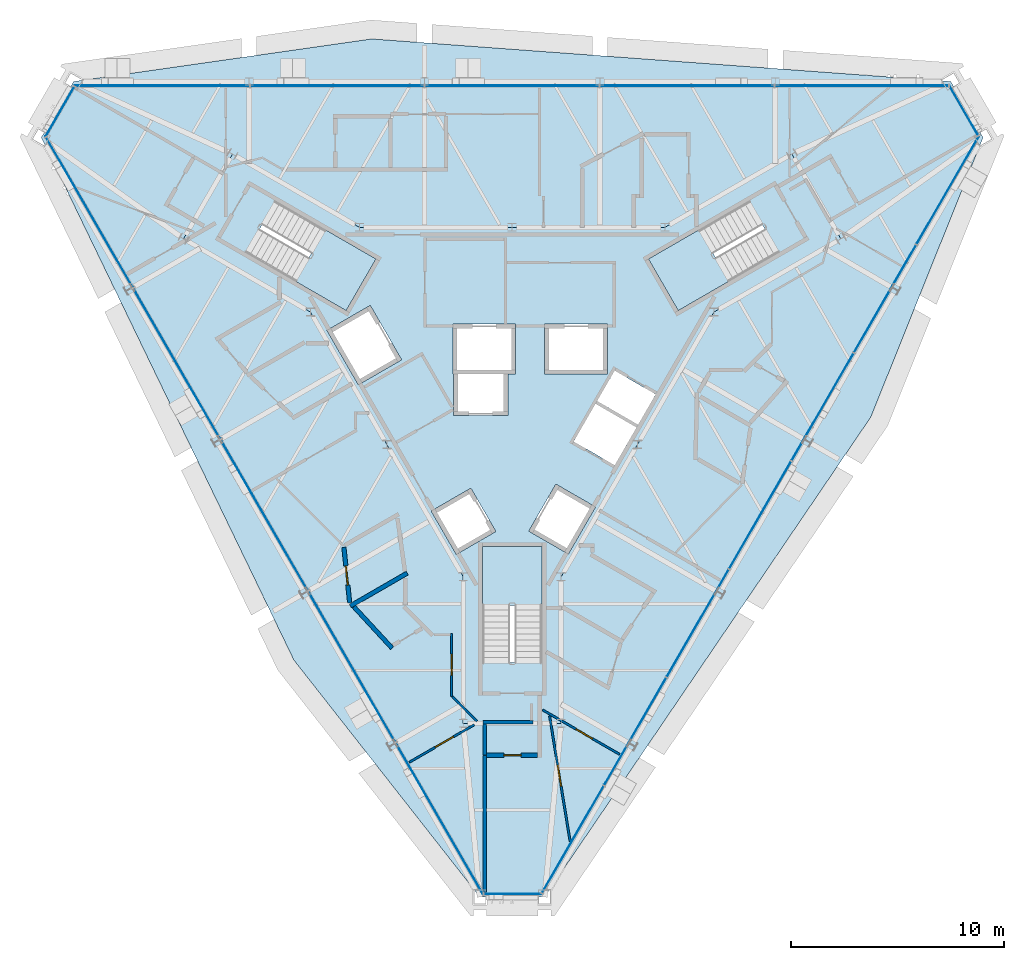
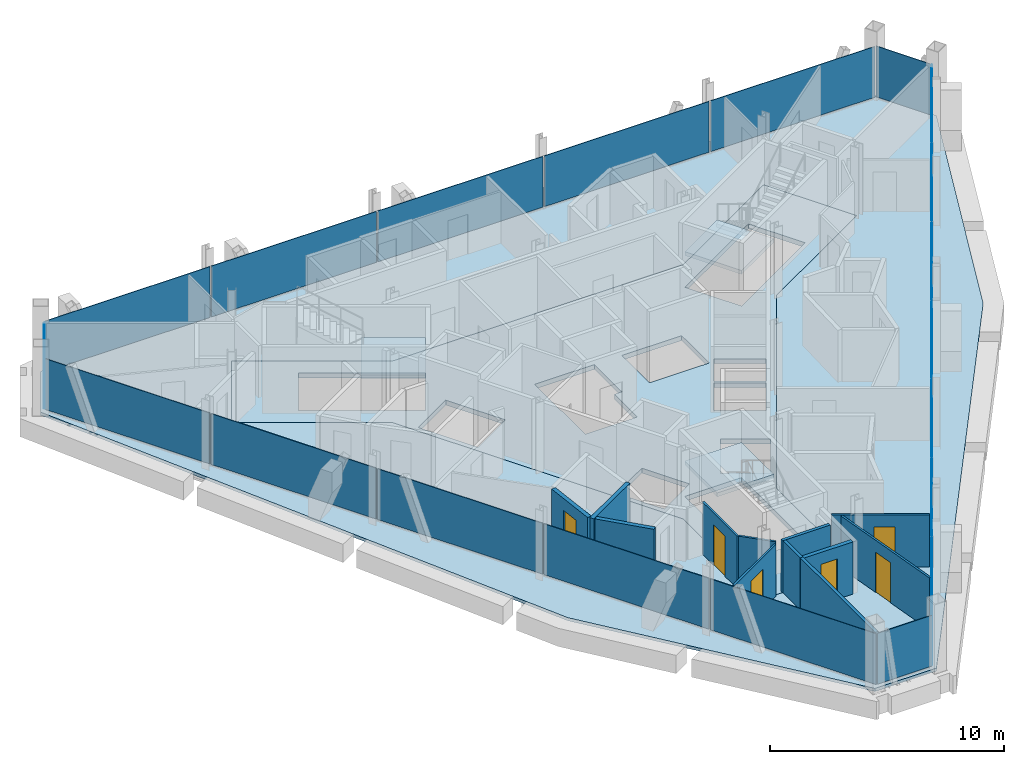
# One storey, part 8 of 15: 20 plates, 12 walls, 6 doors, 5 slabs, 6 openings, 9 elements without a shape of their own.
"""IFC4 building model written with IfcOpenShell, lengths in metres."""

from ifc_helpers import new_model, si_unit, direction, frame, frame_2d, origin, origin_2d, place, context, subcontext, project, spatial, polyline, rectangle, outline, extrude, material, layer, layer_set, type_object, element, fill, aggregate, save


model = new_model("IFC4")

# Units and contexts
model_context = context("Model", 3, precision=1e-05, world=origin(), true_north=direction((0.0, 1.0)))
body_context = subcontext(model_context, "Body", "Model", "MODEL_VIEW")
ifc_project = project(units=[si_unit("LENGTHUNIT", "METRE"), si_unit("AREAUNIT", "SQUARE_METRE"), si_unit("VOLUMEUNIT", "CUBIC_METRE"), si_unit("PLANEANGLEUNIT", "RADIAN"), si_unit("MASSUNIT", "GRAM", prefix="KILO")], contexts=[model_context])

# Site, building, storey
site_placement = place(None, origin())
site = spatial("IfcSite", under=ifc_project, at=site_placement, CompositionType="ELEMENT")
building_placement = place(site_placement, origin())
building = spatial("IfcBuilding", under=site, at=building_placement, Name="Verrane Prism Tower", CompositionType="ELEMENT")
storey_placement = place(building_placement, frame((0.0, 0.0, 301.0)))
storey = spatial("IfcBuildingStorey", under=building, at=storey_placement, Name="L76", CompositionType="ELEMENT", Elevation=301.0)

# Slabs
ifc_material_1 = material(Name="Concrete C35/45", Category="concrete")
ifc_layer_1 = layer(ifc_material_1, 0.159912109375)
ifc_layer_set_1 = layer_set([ifc_layer_1], Name="Composite floor slab")
slab_type_1 = type_object("IfcSlabType", Name="Composite floor slab", PredefinedType="FLOOR", material=ifc_layer_set_1)
slab_1_placement = place(storey_placement, frame((0.0, 0.0, -0.159912109375)))
element("IfcSlab", 1, at=slab_1_placement, inside=storey, type_object=slab_type_1, Name="Floor slab L76", PredefinedType="FLOOR", context=body_context, shape_type="SweptSolid", body=[
    extrude(outline(polyline([(16.85009765625, -2.114990234375), (1.51904296875, -24.6689453125), (-1.51904296875, -24.6689453125), (-10.256591796875, -13.53515625), (-22.12353515625, 11.01904296875), (-20.6044921875, 13.64990234375), (-6.593505859375, 15.64990234375), (20.6044921875, 13.64990234375), (22.12353515625, 11.01904296875), (16.85009765625, -2.114990234375)]), holes=[polyline([(15.43994140625, 6.260009765625), (13.139892578125, 10.239990234375), (7.179931640625, 6.800048828125), (0.0, 6.800048828125), (-7.179931640625, 6.800048828125), (-13.139892578125, 10.239990234375), (-15.43994140625, 6.260009765625), (-9.47998046875, 2.820068359375), (-5.889892578125, -3.39990234375), (-2.300048828125, -9.6201171875), (-2.300048828125, -16.5), (2.300048828125, -16.5), (2.300048828125, -9.6201171875), (5.889892578125, -3.39990234375), (9.47998046875, 2.820068359375), (15.43994140625, 6.260009765625)])]), origin(), (0.0, 0.0, 1.0), 0.159912109375),
])
ifc_material_2 = material(Name="Concrete C40/50", Category="concrete")
ifc_layer_2 = layer(ifc_material_2, 0.25)
ifc_layer_set_2 = layer_set([ifc_layer_2], Name="Core floor slab 250 concrete C40/50")
slab_type_2 = type_object("IfcSlabType", Name="Core floor slab 250 concrete C40/50", PredefinedType="FLOOR", material=ifc_layer_set_2)
slab_2_placement = place(storey_placement, frame((0.0, 0.0, -0.25)))
element("IfcSlab", 2, at=slab_2_placement, inside=storey, type_object=slab_type_2, Name="Core floor L76", PredefinedType="FLOOR", context=body_context, shape_type="SweptSolid", body=[
    extrude(outline(polyline([(9.47998046875, 2.820068359375), (15.43994140625, 6.260009765625), (13.139892578125, 10.239990234375), (7.179931640625, 6.800048828125), (0.0, 6.800048828125), (-7.179931640625, 6.800048828125), (-13.139892578125, 10.239990234375), (-15.43994140625, 6.260009765625), (-9.47998046875, 2.820068359375), (-5.889892578125, -3.39990234375), (-2.300048828125, -9.6201171875), (-2.300048828125, -16.5), (2.300048828125, -16.5), (2.300048828125, -9.6201171875), (5.889892578125, -3.39990234375), (9.47998046875, 2.820068359375)]), holes=[polyline([(-1.39990234375, -8.199951171875), (1.39990234375, -8.199951171875), (1.39990234375, -13.639892578125), (-1.39990234375, -13.639892578125), (-1.39990234375, -8.199951171875)]), polyline([(-0.76708984375, -7.491943359375), (-2.62890625, -8.56689453125), (-3.803955078125, -6.531982421875), (-1.94189453125, -5.45703125), (-0.76708984375, -7.491943359375)]), polyline([(3.9140625, -6.341064453125), (2.638916015625, -8.550048828125), (0.777099609375, -7.47509765625), (2.052001953125, -5.26611328125), (3.9140625, -6.341064453125)]), polyline([(4.81494140625, -4.37890625), (2.888916015625, -3.26708984375), (3.9130859375, -1.490966796875), (5.841064453125, -2.60302734375), (4.81494140625, -4.37890625)]), polyline([(6.739990234375, -1.044921875), (5.916015625, -2.47412109375), (3.988037109375, -1.361083984375), (4.81396484375, 0.06689453125), (6.739990234375, -1.044921875)]), polyline([(-2.784912109375, -0.10009765625), (-2.784912109375, 2.25), (0.1650390625, 2.25), (0.1650390625, -0.10009765625), (-0.205078125, -0.10009765625), (-0.205078125, -2.050048828125), (-2.7548828125, -2.050048828125), (-2.7548828125, -0.10009765625), (-2.784912109375, -0.10009765625)]), polyline([(4.47509765625, 2.25), (4.47509765625, -0.10009765625), (1.52490234375, -0.10009765625), (1.52490234375, 2.25), (4.47509765625, 2.25)]), polyline([(-8.7041015625, 1.955078125), (-6.66796875, 3.1298828125), (-5.193115234375, 0.574951171875), (-7.22900390625, -0.60009765625), (-8.7041015625, 1.955078125)]), polyline([(-7.801025390625, 2.887939453125), (-12.512939453125, 5.60791015625), (-11.113037109375, 8.031982421875), (-6.40087890625, 5.31201171875), (-7.801025390625, 2.887939453125)]), polyline([(6.40087890625, 5.31201171875), (11.113037109375, 8.031982421875), (12.512939453125, 5.60791015625), (7.801025390625, 2.887939453125), (6.40087890625, 5.31201171875)])]), origin(), (0.0, 0.0, 1.0), 0.25),
])

# Curtain wall, plates
ifc_material_3 = material(Name="Aluminium framed insulated glazing", Category="aluminium")
curtain_wall_type_1 = type_object("IfcCurtainWallType", Name="Curtain wall CW-B 5600 module", PredefinedType="NOTDEFINED", material=ifc_material_3)
curtain_wall_1_placement = place(storey_placement, origin())
curtain_wall_1 = element("IfcCurtainWall", 3, at=curtain_wall_1_placement, inside=storey, type_object=curtain_wall_type_1, Name="Glazed curtain wall south-east face L76", PredefinedType="NOTDEFINED")
ifc_material_4 = material(Name="Low-iron insulating glass unit", Category="glass")
ifc_layer_3 = layer(ifc_material_4, 0.028076171875)
ifc_layer_set_3 = layer_set([ifc_layer_3], Name="Glazing panel IGU 28")
plate_type_1 = type_object("IfcPlateType", Name="Glazing panel IGU 28", PredefinedType="CURTAIN_PANEL", material=ifc_layer_set_3)
plate_1_placement = place(storey_placement, frame((2.84765625, -21.962158203125, 0.06005859375), z_axis=(0.0, 0.0, 1.0), x_axis=(0.500000938868, 0.866024861728, 0.0)))
plate_1 = element("IfcPlate", 4, at=plate_1_placement, type_object=plate_type_1, Name="CW75.6 panel 1", PredefinedType="CURTAIN_PANEL", context=body_context, shape_type="SweptSolid", body=[
    extrude(rectangle(XDim=5.7802734375, YDim=0.028076171875, at=origin_2d()), origin(), (0.0, 0.0, 1.0), 2.6630859375),
])
plate_2_placement = place(storey_placement, frame((5.775390625, -16.891357421875, 0.06005859375), z_axis=(0.0, 0.0, 1.0), x_axis=(0.500000938868, 0.866024861728, 0.0)))
plate_2 = element("IfcPlate", 5, at=plate_2_placement, type_object=plate_type_1, Name="CW75.6 panel 2", PredefinedType="CURTAIN_PANEL", context=body_context, shape_type="SweptSolid", body=[
    extrude(rectangle(XDim=5.810302734375, YDim=0.028076171875, at=origin_2d()), origin(), (0.0, 0.0, 1.0), 2.6630859375),
])
plate_3_placement = place(storey_placement, frame((8.71044921875, -11.807373046875, 0.06005859375), z_axis=(0.0, 0.0, 1.0), x_axis=(0.500000938868, 0.866024861728, 0.0)))
plate_3 = element("IfcPlate", 6, at=plate_3_placement, type_object=plate_type_1, Name="CW75.6 panel 3", PredefinedType="CURTAIN_PANEL", context=body_context, shape_type="SweptSolid", body=[
    extrude(rectangle(XDim=5.810302734375, YDim=0.028076171875, at=origin_2d()), origin(), (0.0, 0.0, 1.0), 2.6630859375),
])
plate_4_placement = place(storey_placement, frame((11.645751953125, -6.7236328125, 0.06005859375), z_axis=(0.0, 0.0, 1.0), x_axis=(0.500000938868, 0.866024861728, 0.0)))
plate_4 = element("IfcPlate", 7, at=plate_4_placement, type_object=plate_type_1, Name="CW75.6 panel 4", PredefinedType="CURTAIN_PANEL", context=body_context, shape_type="SweptSolid", body=[
    extrude(rectangle(XDim=5.810302734375, YDim=0.028076171875, at=origin_2d()), origin(), (0.0, 0.0, 1.0), 2.6630859375),
])
plate_5_placement = place(storey_placement, frame((14.580810546875, -1.639892578125, 0.06005859375), z_axis=(0.0, 0.0, 1.0), x_axis=(0.500000938868, 0.866024861728, 0.0)))
plate_5 = element("IfcPlate", 8, at=plate_5_placement, type_object=plate_type_1, Name="CW75.6 panel 5", PredefinedType="CURTAIN_PANEL", context=body_context, shape_type="SweptSolid", body=[
    extrude(rectangle(XDim=5.810302734375, YDim=0.028076171875, at=origin_2d()), origin(), (0.0, 0.0, 1.0), 2.6630859375),
])
plate_6_placement = place(storey_placement, frame((17.515869140625, 3.444091796875, 0.06005859375), z_axis=(0.0, 0.0, 1.0), x_axis=(0.500000938868, 0.866024861728, 0.0)))
plate_6 = element("IfcPlate", 9, at=plate_6_placement, type_object=plate_type_1, Name="CW75.6 panel 6", PredefinedType="CURTAIN_PANEL", context=body_context, shape_type="SweptSolid", body=[
    extrude(rectangle(XDim=5.810302734375, YDim=0.028076171875, at=origin_2d()), origin(), (0.0, 0.0, 1.0), 2.6630859375),
])

# Curtain wall, plate
ifc_material_5 = material(Name="Aluminium framed insulated glazing", Category="aluminium")
curtain_wall_type_2 = type_object("IfcCurtainWallType", Name="Curtain wall CW-A 8400 module", PredefinedType="NOTDEFINED", material=ifc_material_5)
curtain_wall_2_placement = place(storey_placement, origin())
curtain_wall_2 = element("IfcCurtainWall", 10, at=curtain_wall_2_placement, inside=storey, type_object=curtain_wall_type_2, Name="Glazed curtain wall north-east corner L76", PredefinedType="NOTDEFINED")
ifc_material_6 = material(Name="Low-iron insulating glass unit", Category="glass")
ifc_layer_4 = layer(ifc_material_6, 0.031982421875)
ifc_layer_set_4 = layer_set([ifc_layer_4], Name="Glazing panel IGU 32")
plate_type_2 = type_object("IfcPlateType", Name="Glazing panel IGU 32", PredefinedType="CURTAIN_PANEL", material=ifc_layer_set_4)
plate_7_placement = place(storey_placement, frame((21.21484375, 12.288818359375, 0.06982421875), z_axis=(0.0, 0.0, 1.0), x_axis=(-0.500002040855, 0.866024225493, 0.0)))
plate_7 = element("IfcPlate", 11, at=plate_7_placement, type_object=plate_type_2, Name="CW75.1 panel 1", PredefinedType="CURTAIN_PANEL", context=body_context, shape_type="SweptSolid", body=[
    extrude(rectangle(XDim=2.67529296875, YDim=0.031982421875, at=origin_2d()), origin(), (0.0, 0.0, 1.0), 2.653076171875),
])
aggregate(curtain_wall_2, [plate_7])

# Curtain wall, plates
curtain_wall_3_placement = place(storey_placement, origin())
curtain_wall_3 = element("IfcCurtainWall", 12, at=curtain_wall_3_placement, inside=storey, type_object=curtain_wall_type_2, Name="Glazed curtain wall north face L76", PredefinedType="NOTDEFINED")
plate_8_placement = place(storey_placement, frame((16.41943359375, 13.447265625, 0.06982421875), z_axis=(0.0, 0.0, 1.0), x_axis=(-1.0, 0.0, 0.0)))
plate_8 = element("IfcPlate", 13, at=plate_8_placement, type_object=plate_type_2, Name="CW75.2 panel 1", PredefinedType="CURTAIN_PANEL", context=body_context, shape_type="SweptSolid", body=[
    extrude(rectangle(XDim=8.113525390625, YDim=0.031982421875, at=origin_2d()), origin(), (0.0, 0.0, 1.0), 2.653076171875),
])
plate_9_placement = place(storey_placement, frame((8.218505859375, 13.447265625, 0.06982421875), z_axis=(0.0, 0.0, 1.0), x_axis=(-1.0, 0.0, 0.0)))
plate_9 = element("IfcPlate", 14, at=plate_9_placement, type_object=plate_type_2, Name="CW75.2 panel 2", PredefinedType="CURTAIN_PANEL", context=body_context, shape_type="SweptSolid", body=[
    extrude(rectangle(XDim=8.1484375, YDim=0.031982421875, at=origin_2d()), origin(), (0.0, 0.0, 1.0), 2.653076171875),
])
plate_10_placement = place(storey_placement, frame((0.0, 13.447265625, 0.06982421875), z_axis=(0.0, 0.0, 1.0), x_axis=(-1.0, 0.0, 0.0)))
plate_10 = element("IfcPlate", 15, at=plate_10_placement, type_object=plate_type_2, Name="CW75.2 panel 3", PredefinedType="CURTAIN_PANEL", context=body_context, shape_type="SweptSolid", body=[
    extrude(rectangle(XDim=8.1484375, YDim=0.031982421875, at=origin_2d()), origin(), (0.0, 0.0, 1.0), 2.653076171875),
])
plate_11_placement = place(storey_placement, frame((-8.218505859375, 13.447265625, 0.06982421875), z_axis=(0.0, 0.0, 1.0), x_axis=(-1.0, 0.0, 0.0)))
plate_11 = element("IfcPlate", 16, at=plate_11_placement, type_object=plate_type_2, Name="CW75.2 panel 4", PredefinedType="CURTAIN_PANEL", context=body_context, shape_type="SweptSolid", body=[
    extrude(rectangle(XDim=8.1484375, YDim=0.031982421875, at=origin_2d()), origin(), (0.0, 0.0, 1.0), 2.653076171875),
])
plate_12_placement = place(storey_placement, frame((-16.454345703125, 13.447265625, 0.06982421875), z_axis=(0.0, 0.0, 1.0), x_axis=(-1.0, 0.0, 0.0)))
plate_12 = element("IfcPlate", 17, at=plate_12_placement, type_object=plate_type_2, Name="CW75.2 panel 5", PredefinedType="CURTAIN_PANEL", context=body_context, shape_type="SweptSolid", body=[
    extrude(rectangle(XDim=8.183349609375, YDim=0.031982421875, at=origin_2d()), origin(), (0.0, 0.0, 1.0), 2.653076171875),
])
aggregate(curtain_wall_3, [plate_8, plate_9, plate_10, plate_11, plate_12])

# Curtain wall, plate
curtain_wall_4_placement = place(storey_placement, origin())
curtain_wall_4 = element("IfcCurtainWall", 18, at=curtain_wall_4_placement, inside=storey, type_object=curtain_wall_type_2, Name="Glazed curtain wall north-west corner L76", PredefinedType="NOTDEFINED")
plate_13_placement = place(storey_placement, frame((-21.25, 12.228271484375, 0.06982421875), z_axis=(0.0, 0.0, 1.0), x_axis=(-0.500002040855, -0.866024225493, 0.0)))
plate_13 = element("IfcPlate", 19, at=plate_13_placement, type_object=plate_type_2, Name="CW75.3 panel 1", PredefinedType="CURTAIN_PANEL", context=body_context, shape_type="SweptSolid", body=[
    extrude(rectangle(XDim=2.67529296875, YDim=0.031982421875, at=origin_2d()), origin(), (0.0, 0.0, 1.0), 2.653076171875),
])
aggregate(curtain_wall_4, [plate_13])

# Curtain wall, plates
curtain_wall_5_placement = place(storey_placement, origin())
curtain_wall_5 = element("IfcCurtainWall", 20, at=curtain_wall_5_placement, inside=storey, type_object=curtain_wall_type_2, Name="Glazed curtain wall south-west face L76", PredefinedType="NOTDEFINED")
plate_14_placement = place(storey_placement, frame((-15.7548828125, 0.393798828125, 0.06982421875), z_axis=(0.0, 0.0, 1.0), x_axis=(0.500000938868, -0.866024861728, 0.0)))
plate_14 = element("IfcPlate", 21, at=plate_14_placement, type_object=plate_type_2, Name="CW75.4 panel 2", PredefinedType="CURTAIN_PANEL", context=body_context, shape_type="SweptSolid", body=[
    extrude(rectangle(XDim=8.1484375, YDim=0.031982421875, at=origin_2d()), origin(), (0.0, 0.0, 1.0), 2.653076171875),
])
plate_15_placement = place(storey_placement, frame((-11.645751953125, -6.7236328125, 0.06982421875), z_axis=(0.0, 0.0, 1.0), x_axis=(0.500000938868, -0.866024861728, 0.0)))
plate_15 = element("IfcPlate", 22, at=plate_15_placement, type_object=plate_type_2, Name="CW75.4 panel 3", PredefinedType="CURTAIN_PANEL", context=body_context, shape_type="SweptSolid", body=[
    extrude(rectangle(XDim=8.1484375, YDim=0.031982421875, at=origin_2d()), origin(), (0.0, 0.0, 1.0), 2.653076171875),
])
plate_16_placement = place(storey_placement, frame((-7.536376953125, -13.841064453125, 0.06982421875), z_axis=(0.0, 0.0, 1.0), x_axis=(0.500000938868, -0.866024861728, 0.0)))
plate_16 = element("IfcPlate", 23, at=plate_16_placement, type_object=plate_type_2, Name="CW75.4 panel 4", PredefinedType="CURTAIN_PANEL", context=body_context, shape_type="SweptSolid", body=[
    extrude(rectangle(XDim=8.1484375, YDim=0.031982421875, at=origin_2d()), origin(), (0.0, 0.0, 1.0), 2.653076171875),
])

# Curtain wall, plate
curtain_wall_6_placement = place(storey_placement, origin())
curtain_wall_6 = element("IfcCurtainWall", 24, at=curtain_wall_6_placement, inside=storey, type_object=curtain_wall_type_2, Name="Glazed curtain wall south corner L76", PredefinedType="NOTDEFINED")
plate_17_placement = place(storey_placement, frame((0.034912109375, -24.51708984375, 0.06982421875), z_axis=(0.0, 0.0, 1.0), x_axis=(1.0, 0.0, 0.0)))
plate_17 = element("IfcPlate", 25, at=plate_17_placement, type_object=plate_type_2, Name="CW75.5 panel 1", PredefinedType="CURTAIN_PANEL", context=body_context, shape_type="SweptSolid", body=[
    extrude(rectangle(XDim=2.67529296875, YDim=0.031982421875, at=origin_2d()), origin(), (0.0, 0.0, 1.0), 2.653076171875),
])
aggregate(curtain_wall_6, [plate_17])

# Stair, slab
ifc_material_7 = material(Name="Concrete C40/50", Category="concrete")
stair_type = type_object("IfcStairType", Name="Exit stair 1300 dog-leg precast concrete C40/50", PredefinedType="HALF_TURN_STAIR", material=ifc_material_7)
stair_1_placement = place(storey_placement, origin())
stair_1 = element("IfcStair", 26, at=stair_1_placement, inside=storey, type_object=stair_type, Name="Stair 1 L76", PredefinedType="HALF_TURN_STAIR")
ifc_material_8 = material(Name="Concrete C40/50", Category="concrete")
ifc_layer_5 = layer(ifc_material_8, 0.199951171875)
ifc_layer_set_5 = layer_set([ifc_layer_5], Name="Stair landing 200 precast concrete C40/50")
slab_type_3 = type_object("IfcSlabType", Name="Stair landing 200 precast concrete C40/50", PredefinedType="LANDING", material=ifc_layer_set_5)
slab_3_placement = place(storey_placement, frame((0.0, 0.0, 1.64990234375)))
slab_3 = element("IfcSlab", 27, at=slab_3_placement, type_object=slab_type_3, Name="Stair 1 landing 1", PredefinedType="LANDING", context=body_context, shape_type="SweptSolid", body=[
    extrude(outline(polyline([(8.791748046875, 6.6923828125), (6.4013671875, 5.3125), (7.801513671875, 2.887451171875), (10.191650390625, 4.267578125), (8.791748046875, 6.6923828125)])), origin(), (0.0, 0.0, 1.0), 0.2001953125),
])
aggregate(stair_1, [slab_3])

stair_2_placement = place(storey_placement, origin())
stair_2 = element("IfcStair", 28, at=stair_2_placement, inside=storey, type_object=stair_type, Name="Stair 2 L76", PredefinedType="HALF_TURN_STAIR")
slab_4_placement = place(storey_placement, frame((0.0, 0.0, 1.64990234375)))
slab_4 = element("IfcSlab", 29, at=slab_4_placement, type_object=slab_type_3, Name="Stair 2 landing 1", PredefinedType="LANDING", context=body_context, shape_type="SweptSolid", body=[
    extrude(outline(polyline([(-10.191650390625, 4.267578125), (-7.801513671875, 2.887451171875), (-6.4013671875, 5.3125), (-8.791748046875, 6.6923828125), (-10.191650390625, 4.267578125)])), origin(), (0.0, 0.0, 1.0), 0.2001953125),
])
aggregate(stair_2, [slab_4])

stair_3_placement = place(storey_placement, origin())
stair_3 = element("IfcStair", 30, at=stair_3_placement, inside=storey, type_object=stair_type, Name="Stair 3 L76", PredefinedType="HALF_TURN_STAIR")
slab_5_placement = place(storey_placement, frame((0.0, 0.0, 1.64990234375)))
slab_5 = element("IfcSlab", 31, at=slab_5_placement, type_object=slab_type_3, Name="Stair 3 landing 1", PredefinedType="LANDING", context=body_context, shape_type="SweptSolid", body=[
    extrude(outline(polyline([(1.39990234375, -10.9599609375), (1.39990234375, -8.199951171875), (-1.39990234375, -8.199951171875), (-1.39990234375, -10.9599609375), (1.39990234375, -10.9599609375)])), origin(), (0.0, 0.0, 1.0), 0.2001953125),
])
aggregate(stair_3, [slab_5])

# Plate
ifc_material_9 = material(Name="Warm limestone cladding", Category="masonry")
ifc_layer_6 = layer(ifc_material_9, 0.028076171875)
ifc_layer_set_6 = layer_set([ifc_layer_6], Name="Stone-faced spandrel panel 28")
plate_type_3 = type_object("IfcPlateType", Name="Stone-faced spandrel panel 28", PredefinedType="CURTAIN_PANEL", material=ifc_layer_set_6)
plate_18_placement = place(storey_placement, frame((-19.855224609375, 7.495849609375, 0.06982421875), z_axis=(0.0, 0.0, 1.0), x_axis=(0.500000938868, -0.866024861728, 0.0)))
plate_18 = element("IfcPlate", 32, at=plate_18_placement, type_object=plate_type_3, Name="CW75.4 panel 1", PredefinedType="CURTAIN_PANEL", context=body_context, shape_type="SweptSolid", body=[
    extrude(rectangle(XDim=8.113525390625, YDim=0.028076171875, at=origin_2d()), origin(), (0.0, 0.0, 1.0), 2.653076171875),
])

plate_19_placement = place(storey_placement, frame((-3.41845703125, -20.973388671875, 0.06982421875), z_axis=(0.0, 0.0, 1.0), x_axis=(0.500000938868, -0.866024861728, 0.0)))
plate_19 = element("IfcPlate", 33, at=plate_19_placement, type_object=plate_type_3, Name="CW75.4 panel 5", PredefinedType="CURTAIN_PANEL", context=body_context, shape_type="SweptSolid", body=[
    extrude(rectangle(XDim=8.183349609375, YDim=0.028076171875, at=origin_2d()), origin(), (0.0, 0.0, 1.0), 2.653076171875),
])

aggregate(curtain_wall_5, [plate_18, plate_14, plate_15, plate_16, plate_19])

plate_20_placement = place(storey_placement, frame((20.458740234375, 8.540771484375, 0.06005859375), z_axis=(0.0, 0.0, 1.0), x_axis=(0.500000938868, 0.866024861728, 0.0)))
plate_20 = element("IfcPlate", 34, at=plate_20_placement, type_object=plate_type_3, Name="CW75.6 panel 7", PredefinedType="CURTAIN_PANEL", context=body_context, shape_type="SweptSolid", body=[
    extrude(rectangle(XDim=5.84033203125, YDim=0.028076171875, at=origin_2d()), origin(), (0.0, 0.0, 1.0), 2.6630859375),
])

aggregate(curtain_wall_1, [plate_1, plate_2, plate_3, plate_4, plate_5, plate_6, plate_20])

# Wall, opening, door
ifc_material_10 = material(Name="Gypsum board partition", Category="other")
ifc_layer_7 = layer(ifc_material_10, 0.10009765625)
ifc_layer_set_7 = layer_set([ifc_layer_7], Name="PW-100 room partition")
wall_type_1 = type_object("IfcWallType", Name="PW-100 room partition", PredefinedType="PARTITIONING", material=ifc_layer_set_7)
wall_1_placement = place(storey_placement, frame((-1.77783203125, -16.568359375, 0.0), z_axis=(0.0, 0.0, 1.0), x_axis=(-0.866019606374, -0.500010041276, 0.0)))
wall_1 = element("IfcWall", 35, at=wall_1_placement, inside=storey, type_object=wall_type_1, Name="Room partition 036", PredefinedType="PARTITIONING", context=body_context, shape_type="SweptSolid", body=[
    extrude(rectangle(XDim=3.52734375, YDim=0.10009765625, at=frame_2d((1.763671875, 0.0))), origin(), (0.0, 0.0, 1.0), 2.722900390625),
])
opening_1_placement = place(wall_1_placement, frame((1.12353515625, 0.0, 0.0)))
opening_1 = element("IfcOpeningElement", 36, at=opening_1_placement, cuts=wall_1, Name="Opening D75029", PredefinedType="OPENING", context=body_context, shape_type="SweptSolid", body=[
    extrude(rectangle(XDim=1.0, YDim=2.10009765625, at=frame_2d((0.5, 1.050048828125))), frame((0.0, 0.06005859375, 0.0), z_axis=(0.0, -1.0, 0.0), x_axis=(1.0, 0.0, 0.0)), (0.0, 0.0, 1.0), 0.1201171875),
])
ifc_material_11 = material(Name="Timber veneered door leaf", Category="wood")
door_type_1 = type_object("IfcDoorType", Name="DR-1000x2100 single leaf inner", OperationType="NOTDEFINED", PredefinedType="DOOR", material=ifc_material_11)
door_1_placement = place(opening_1_placement, origin())
door_1 = element("IfcDoor", 37, at=door_1_placement, inside=storey, type_object=door_type_1, Name="Living And Dining Room door", OperationType="SINGLE_SWING_RIGHT", OverallHeight=2.10009765625, OverallWidth=1.0, PredefinedType="DOOR", context=body_context, shape_type="SweptSolid", body=[
    extrude(rectangle(XDim=1.0, YDim=2.10009765625, at=frame_2d((0.5, 1.050048828125))), frame((0.0, 0.02490234375, 0.0), z_axis=(0.0, -1.0, 0.0), x_axis=(1.0, 0.0, 0.0)), (0.0, 0.0, 1.0), 0.050048828125),
])
fill(opening_1, door_1)

wall_2_placement = place(storey_placement, frame((-2.85009765625, -15.25, 0.0), z_axis=(0.0, 0.0, 1.0), x_axis=(0.0, 1.0, 0.0)))
wall_2 = element("IfcWall", 38, at=wall_2_placement, inside=storey, type_object=wall_type_1, Name="Room partition 040", PredefinedType="PARTITIONING", context=body_context, shape_type="SweptSolid", body=[
    extrude(rectangle(XDim=2.9609375, YDim=0.10009765625, at=frame_2d((1.48046875, 0.0))), origin(), (0.0, 0.0, 1.0), 2.722900390625),
])
opening_2_placement = place(wall_2_placement, frame((1.0, 0.0, 0.0)))
opening_2 = element("IfcOpeningElement", 39, at=opening_2_placement, cuts=wall_2, Name="Opening D75027", PredefinedType="OPENING", context=body_context, shape_type="SweptSolid", body=[
    extrude(rectangle(XDim=1.0, YDim=2.10009765625, at=frame_2d((0.5, 1.050048828125))), frame((0.0, 0.06005859375, 0.0), z_axis=(0.0, -1.0, 0.0), x_axis=(1.0, 0.0, 0.0)), (0.0, 0.0, 1.0), 0.1201171875),
])
door_2_placement = place(opening_2_placement, origin())
door_2 = element("IfcDoor", 40, at=door_2_placement, inside=storey, type_object=door_type_1, Name="Entrance Foyer door", OperationType="SINGLE_SWING_LEFT", OverallHeight=2.10009765625, OverallWidth=1.0, PredefinedType="DOOR", context=body_context, shape_type="SweptSolid", body=[
    extrude(rectangle(XDim=1.0, YDim=2.10009765625, at=frame_2d((0.5, 1.050048828125))), frame((0.0, 0.02490234375, 0.0), z_axis=(0.0, -1.0, 0.0), x_axis=(1.0, 0.0, 0.0)), (0.0, 0.0, 1.0), 0.050048828125),
])
fill(opening_2, door_2)

# Wall
wall_3_placement = place(storey_placement, frame((-2.800537109375, -15.24951171875, 0.0), z_axis=(0.0, 0.0, 1.0), x_axis=(0.707181547962, -0.707032006505, 0.0)))
element("IfcWall", 41, at=wall_3_placement, inside=storey, type_object=wall_type_1, Name="Room partition 041", PredefinedType="PARTITIONING", context=body_context, shape_type="SweptSolid", body=[
    extrude(rectangle(XDim=1.632568359375, YDim=0.10009765625, at=frame_2d((0.81640625, 0.0))), origin(), (0.0, 0.0, 1.0), 2.722900390625),
])

# Wall, opening, door
wall_4_placement = place(storey_placement, frame((5.046875, -17.9609375, 0.0), z_axis=(0.0, 0.0, 1.0), x_axis=(-0.866050460131, 0.499956598623, 0.0)))
wall_4 = element("IfcWall", 42, at=wall_4_placement, inside=storey, type_object=wall_type_1, Name="Room partition 049", PredefinedType="PARTITIONING", context=body_context, shape_type="SweptSolid", body=[
    extrude(rectangle(XDim=4.181884765625, YDim=0.10009765625, at=frame_2d((2.0908203125, 0.0))), origin(), (0.0, 0.0, 1.0), 2.722900390625),
])
opening_3_placement = place(wall_4_placement, frame((1.46923828125, 0.0, 0.0)))
opening_3 = element("IfcOpeningElement", 43, at=opening_3_placement, cuts=wall_4, Name="Opening D75001", PredefinedType="OPENING", context=body_context, shape_type="SweptSolid", body=[
    extrude(rectangle(XDim=0.89990234375, YDim=2.10009765625, at=frame_2d((0.449951171875, 1.050048828125))), frame((0.0, 0.06005859375, 0.0), z_axis=(0.0, -1.0, 0.0), x_axis=(1.0, 0.0, 0.0)), (0.0, 0.0, 1.0), 0.1201171875),
])
ifc_material_12 = material(Name="Timber veneered door leaf", Category="wood")
door_type_2 = type_object("IfcDoorType", Name="DR-900x2100 single leaf inner", OperationType="NOTDEFINED", PredefinedType="DOOR", material=ifc_material_12)
door_3_placement = place(opening_3_placement, origin())
door_3 = element("IfcDoor", 44, at=door_3_placement, inside=storey, type_object=door_type_2, Name="Living And Dining Room door", OperationType="SINGLE_SWING_RIGHT", OverallHeight=2.10009765625, OverallWidth=0.89990234375, PredefinedType="DOOR", context=body_context, shape_type="SweptSolid", body=[
    extrude(rectangle(XDim=0.89990234375, YDim=2.10009765625, at=frame_2d((0.449951171875, 1.050048828125))), frame((0.0, 0.02490234375, 0.0), z_axis=(0.0, -1.0, 0.0), x_axis=(1.0, 0.0, 0.0)), (0.0, 0.0, 1.0), 0.050048828125),
])
fill(opening_3, door_3)

wall_5_placement = place(storey_placement, frame((2.72119140625, -22.047607421875, 0.0), z_axis=(0.0, 0.0, 1.0), x_axis=(-0.161659467857, 0.98684660229, 0.0)))
wall_5 = element("IfcWall", 45, at=wall_5_placement, inside=storey, type_object=wall_type_1, Name="Room partition 053", PredefinedType="PARTITIONING", context=body_context, shape_type="SweptSolid", body=[
    extrude(rectangle(XDim=5.969970703125, YDim=0.10009765625, at=frame_2d((2.98486328125, 0.0))), origin(), (0.0, 0.0, 1.0), 2.722900390625),
])
opening_4_placement = place(wall_5_placement, frame((2.62548828125, 0.0, 0.0)))
opening_4 = element("IfcOpeningElement", 46, at=opening_4_placement, cuts=wall_5, Name="Opening D75005", PredefinedType="OPENING", context=body_context, shape_type="SweptSolid", body=[
    extrude(rectangle(XDim=1.0, YDim=2.10009765625, at=frame_2d((0.5, 1.050048828125))), frame((0.0, 0.06005859375, 0.0), z_axis=(0.0, -1.0, 0.0), x_axis=(1.0, 0.0, 0.0)), (0.0, 0.0, 1.0), 0.1201171875),
])
door_4_placement = place(opening_4_placement, origin())
door_4 = element("IfcDoor", 47, at=door_4_placement, inside=storey, type_object=door_type_1, Name="Study door", OperationType="SINGLE_SWING_RIGHT", OverallHeight=2.10009765625, OverallWidth=1.0, PredefinedType="DOOR", context=body_context, shape_type="SweptSolid", body=[
    extrude(rectangle(XDim=1.0, YDim=2.10009765625, at=frame_2d((0.5, 1.050048828125))), frame((0.0, 0.02490234375, 0.0), z_axis=(0.0, -1.0, 0.0), x_axis=(1.0, 0.0, 0.0)), (0.0, 0.0, 1.0), 0.050048828125),
])
fill(opening_4, door_4)

# Walls
ifc_material_13 = material(Name="Gypsum board partition", Category="other")
ifc_layer_8 = layer(ifc_material_13, 0.14990234375)
ifc_layer_set_8 = layer_set([ifc_layer_8], Name="PW-150 demising wall 1 h")
wall_type_2 = type_object("IfcWallType", Name="PW-150 demising wall 1 h", PredefinedType="PARTITIONING", material=ifc_layer_set_8)
wall_6_placement = place(storey_placement, frame((-1.3701171875, -16.449951171875, 0.0), z_axis=(0.0, 0.0, 1.0), x_axis=(1.0, 0.0, 0.0)))
element("IfcWall", 48, at=wall_6_placement, inside=storey, type_object=wall_type_2, Name="Demising wall 042", PredefinedType="PARTITIONING", context=body_context, shape_type="SweptSolid", body=[
    extrude(rectangle(XDim=2.34521484375, YDim=0.14990234375, at=frame_2d((1.172607421875, 0.0))), origin(), (0.0, 0.0, 1.0), 2.722900390625),
])
wall_7_placement = place(storey_placement, frame((-1.285888671875, -24.4208984375, 0.0), z_axis=(0.0, 0.0, 1.0), x_axis=(0.0, 1.0, 0.0)))
element("IfcWall", 49, at=wall_7_placement, inside=storey, type_object=wall_type_2, Name="Demising wall 043", PredefinedType="PARTITIONING", context=body_context, shape_type="SweptSolid", body=[
    extrude(rectangle(XDim=6.416015625, YDim=0.14990234375, at=frame_2d((3.2080078125, 0.0))), origin(), (0.0, 0.0, 1.0), 2.722900390625),
])
wall_8_placement = place(storey_placement, frame((-1.285888671875, -18.0, 0.0), z_axis=(0.0, 0.0, 1.0), x_axis=(0.0, 1.0, 0.0)))
element("IfcWall", 50, at=wall_8_placement, inside=storey, type_object=wall_type_2, Name="Demising wall 044", PredefinedType="PARTITIONING", context=body_context, shape_type="SweptSolid", body=[
    extrude(rectangle(XDim=1.47509765625, YDim=0.14990234375, at=frame_2d((0.737548828125, 0.0))), origin(), (0.0, 0.0, 1.0), 2.722900390625),
])

# Wall, opening, door
ifc_material_14 = material(Name="Gypsum board partition", Category="other")
ifc_layer_9 = layer(ifc_material_14, 0.199951171875)
ifc_layer_set_9 = layer_set([ifc_layer_9], Name="PW-200 plumbing wall")
wall_type_3 = type_object("IfcWallType", Name="PW-200 plumbing wall", PredefinedType="PARTITIONING", material=ifc_layer_set_9)
wall_9_placement = place(storey_placement, frame((-7.90673828125, -8.234619140625, 0.0), z_axis=(0.0, 0.0, 1.0), x_axis=(0.103623353624, -0.994616609847, 0.0)))
wall_9 = element("IfcWall", 51, at=wall_9_placement, inside=storey, type_object=wall_type_3, Name="Plumbing wall 024", PredefinedType="PARTITIONING", context=body_context, shape_type="SweptSolid", body=[
    extrude(rectangle(XDim=2.622314453125, YDim=0.199951171875, at=frame_2d((1.31103515625, 0.0))), origin(), (0.0, 0.0, 1.0), 2.722900390625),
])
opening_5_placement = place(wall_9_placement, frame((0.8798828125, 0.0, 0.0)))
opening_5 = element("IfcOpeningElement", 52, at=opening_5_placement, cuts=wall_9, Name="Opening D75028", PredefinedType="OPENING", context=body_context, shape_type="SweptSolid", body=[
    extrude(rectangle(XDim=0.89990234375, YDim=2.10009765625, at=frame_2d((0.449951171875, 1.050048828125))), frame((0.0, 0.10986328125, 0.0), z_axis=(0.0, -1.0, 0.0), x_axis=(1.0, 0.0, 0.0)), (0.0, 0.0, 1.0), 0.219970703125),
])
door_5_placement = place(opening_5_placement, origin())
door_5 = element("IfcDoor", 53, at=door_5_placement, inside=storey, type_object=door_type_2, Name="Kitchen door", OperationType="SINGLE_SWING_RIGHT", OverallHeight=2.10009765625, OverallWidth=0.89990234375, PredefinedType="DOOR", context=body_context, shape_type="SweptSolid", body=[
    extrude(rectangle(XDim=0.89990234375, YDim=2.10009765625, at=frame_2d((0.449951171875, 1.050048828125))), frame((0.0, 0.02490234375, 0.0), z_axis=(0.0, -1.0, 0.0), x_axis=(1.0, 0.0, 0.0)), (0.0, 0.0, 1.0), 0.050048828125),
])
fill(opening_5, door_5)

# Walls
wall_10_placement = place(storey_placement, frame((-7.43408203125, -11.03173828125, 0.0), z_axis=(0.0, 0.0, 1.0), x_axis=(0.678387636859, -0.734704167782, 0.0)))
element("IfcWall", 54, at=wall_10_placement, inside=storey, type_object=wall_type_3, Name="Plumbing wall 026", PredefinedType="PARTITIONING", context=body_context, shape_type="SweptSolid", body=[
    extrude(rectangle(XDim=2.64013671875, YDim=0.199951171875, at=frame_2d((1.320068359375, 0.0))), origin(), (0.0, 0.0, 1.0), 2.722900390625),
])
wall_11_placement = place(storey_placement, frame((-7.605712890625, -10.989990234375, 0.0), z_axis=(0.0, 0.0, 1.0), x_axis=(0.865956409518, 0.500119482538, 0.0)))
element("IfcWall", 55, at=wall_11_placement, inside=storey, type_object=wall_type_3, Name="Plumbing wall 027", PredefinedType="PARTITIONING", context=body_context, shape_type="SweptSolid", body=[
    extrude(rectangle(XDim=3.087158203125, YDim=0.199951171875, at=frame_2d((1.54345703125, 0.0))), origin(), (0.0, 0.0, 1.0), 2.722900390625),
])

# Wall, opening, door
wall_12_placement = place(storey_placement, frame((-1.2109375, -18.0, 0.0), z_axis=(0.0, 0.0, 1.0), x_axis=(1.0, 0.0, 0.0)))
wall_12 = element("IfcWall", 56, at=wall_12_placement, inside=storey, type_object=wall_type_3, Name="Plumbing wall 045", PredefinedType="PARTITIONING", context=body_context, shape_type="SweptSolid", body=[
    extrude(rectangle(XDim=2.410888671875, YDim=0.199951171875, at=frame_2d((1.20556640625, 0.0))), origin(), (0.0, 0.0, 1.0), 2.722900390625),
])
opening_6_placement = place(wall_12_placement, frame((0.824951171875, 0.0, 0.0)))
opening_6 = element("IfcOpeningElement", 57, at=opening_6_placement, cuts=wall_12, Name="Opening D75006", PredefinedType="OPENING", context=body_context, shape_type="SweptSolid", body=[
    extrude(rectangle(XDim=0.800048828125, YDim=2.10009765625, at=frame_2d((0.39990234375, 1.050048828125))), frame((0.0, 0.10986328125, 0.0), z_axis=(0.0, -1.0, 0.0), x_axis=(1.0, 0.0, 0.0)), (0.0, 0.0, 1.0), 0.219970703125),
])
ifc_material_15 = material(Name="Timber veneered door leaf", Category="wood")
door_type_3 = type_object("IfcDoorType", Name="DR-800x2100 single leaf bath", OperationType="NOTDEFINED", PredefinedType="DOOR", material=ifc_material_15)
door_6_placement = place(opening_6_placement, origin())
door_6 = element("IfcDoor", 58, at=door_6_placement, inside=storey, type_object=door_type_3, Name="Master Bathroom door", OperationType="SINGLE_SWING_RIGHT", OverallHeight=2.10009765625, OverallWidth=0.800048828125, PredefinedType="DOOR", context=body_context, shape_type="SweptSolid", body=[
    extrude(rectangle(XDim=0.800048828125, YDim=2.10009765625, at=frame_2d((0.39990234375, 1.050048828125))), frame((0.0, 0.02490234375, 0.0), z_axis=(0.0, -1.0, 0.0), x_axis=(1.0, 0.0, 0.0)), (0.0, 0.0, 1.0), 0.050048828125),
])
fill(opening_6, door_6)

save(model, "model.ifc")
